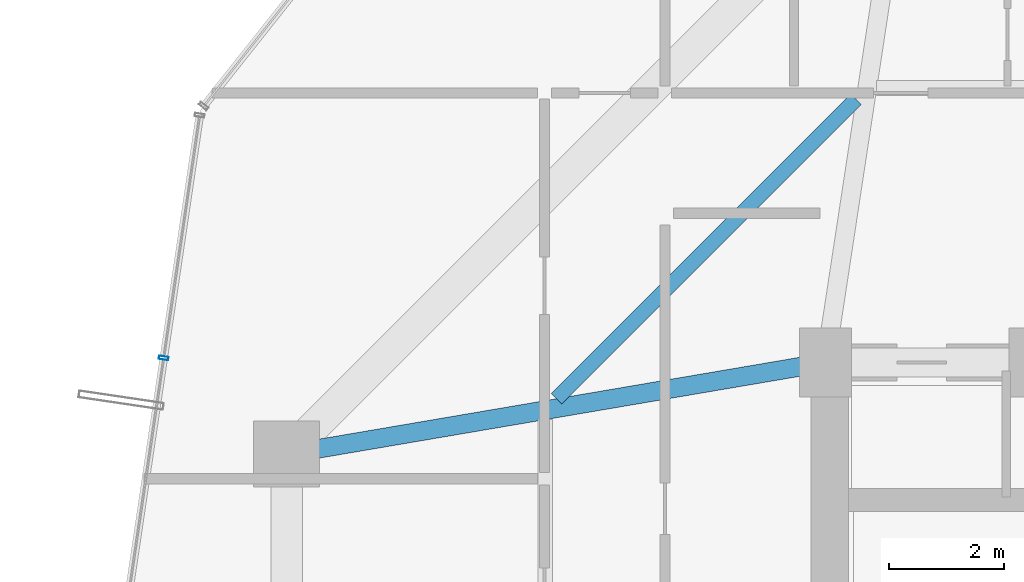
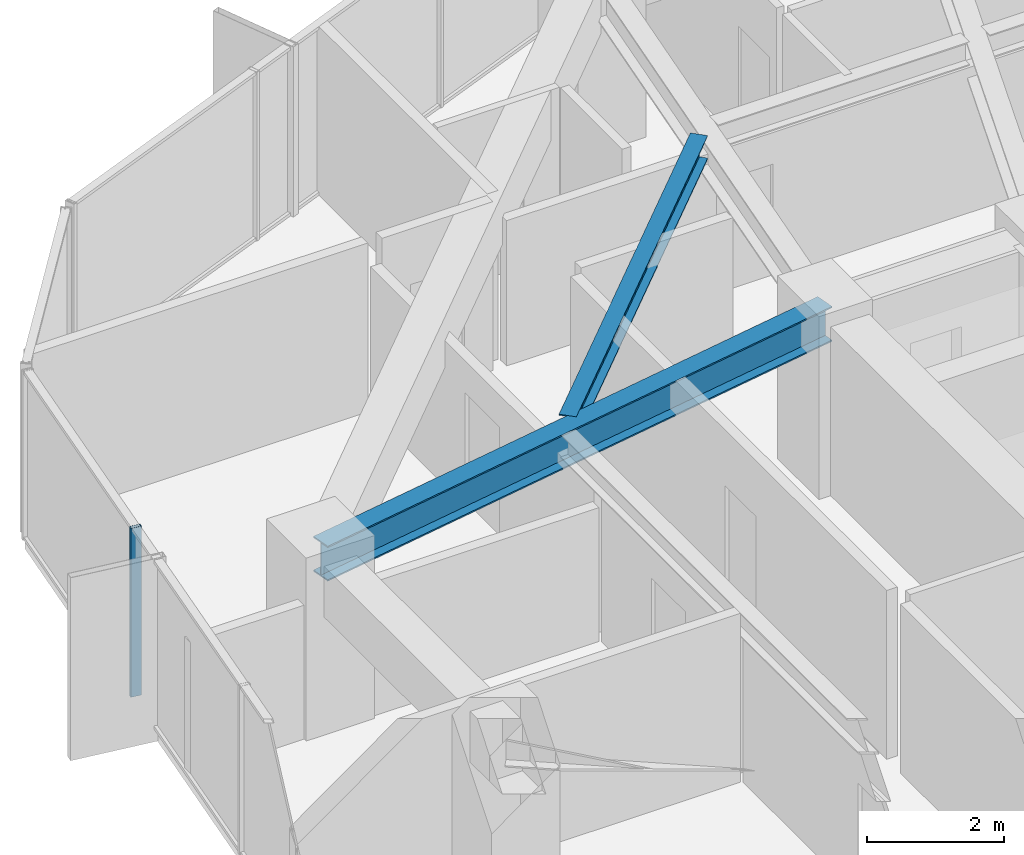
# One storey, part 12 of 29: 2 beams, 1 member, 1 element without a shape of its own.
"""IFC4 building model written with IfcOpenShell, lengths in metres."""

from ifc_helpers import new_model, si_unit, direction, frame, origin, origin_2d, place, context, subcontext, project, spatial, hollow_rectangle, i_section, extrude, source, transform, mapped, material, layer, layer_set, material_profile, profile_set, type_object, element, aggregate, save


model = new_model("IFC4")

# Units and contexts
model_context = context("Model", 3, precision=1e-05, world=origin(), true_north=direction((0.0, 1.0)))
body_context = subcontext(model_context, "Body", "Model", "MODEL_VIEW")
ifc_project = project(units=[si_unit("LENGTHUNIT", "METRE"), si_unit("AREAUNIT", "SQUARE_METRE"), si_unit("VOLUMEUNIT", "CUBIC_METRE"), si_unit("PLANEANGLEUNIT", "RADIAN"), si_unit("MASSUNIT", "GRAM", prefix="KILO")], contexts=[model_context])

# Site, building, storey
site_placement = place(None, origin())
site = spatial("IfcSite", under=ifc_project, at=site_placement, CompositionType="ELEMENT")
building_placement = place(site_placement, origin())
building = spatial("IfcBuilding", under=site, at=building_placement, Name="Veraguas Prism Commons", CompositionType="ELEMENT")
storey_placement = place(building_placement, frame((0.0, 0.0, 99.199951171875)))
storey = spatial("IfcBuildingStorey", under=building, at=storey_placement, Name="L27", CompositionType="ELEMENT", Elevation=99.199951171875)

# Beams
ifc_material_1 = material(Name="Steel ASTM A992 Grade 50", Category="steel")
ifc_material_profile_1 = material_profile(ifc_material_1, i_section(OverallWidth=0.260986328125, OverallDepth=0.419921875, WebThickness=0.01171875, FlangeThickness=0.019287109375, at=origin_2d()), Name="W410X114")
ifc_profile_set_1 = profile_set([ifc_material_profile_1], Name="Steel ASTM A992 Grade 50")
beam_type_1 = type_object("IfcBeamType", Name="Lower Floor Joist W410x114", PredefinedType="JOIST", material=ifc_profile_set_1)
beam_1_placement = place(storey_placement, frame((17.734619140625, 35.5908203125, 2.7900390625), z_axis=(-0.707090260193, -0.707123301794, 0.0), x_axis=(0.707123301794, -0.707090260193, 0.0)))
element("IfcBeam", 1, at=beam_1_placement, inside=storey, type_object=beam_type_1, Name="Composite Floor Joist L27-JS06", PredefinedType="JOIST", context=body_context, shape_type="SweptSolid", body=[
    extrude(i_section(OverallWidth=0.260986328125, OverallDepth=0.419921875, WebThickness=0.01171875, FlangeThickness=0.019287109375, at=origin_2d()), origin(), (0.0, 0.0, 1.0), 7.388916015625),
])
ifc_material_profile_2 = material_profile(ifc_material_1, i_section(OverallWidth=0.327880859375, OverallDepth=0.6220703125, WebThickness=0.015380859375, FlangeThickness=0.0244140625, at=origin_2d()), Name="W610X195")
ifc_profile_set_2 = profile_set([ifc_material_profile_2], Name="Steel ASTM A992 Grade 50")
beam_type_2 = type_object("IfcBeamType", Name="Zone 2 Radial Girder W610x195", PredefinedType="BEAM", material=ifc_profile_set_2)
beam_2_placement = place(storey_placement, frame((7.800048828125, 29.39990234375, 2.68896484375), z_axis=(0.985819187151, 0.1678109956, 0.0), x_axis=(-0.1678109956, 0.985819187151, 0.0)))
element("IfcBeam", 2, at=beam_2_placement, inside=storey, type_object=beam_type_2, Name="Radial Floor Girder L27-RD07", PredefinedType="BEAM", context=body_context, shape_type="SweptSolid", body=[
    extrude(i_section(OverallWidth=0.327880859375, OverallDepth=0.6220703125, WebThickness=0.015380859375, FlangeThickness=0.0244140625, at=origin_2d()), origin(), (0.0, 0.0, 1.0), 9.53515625),
])

# Curtain wall, member
ifc_material_2 = material(Name="Anodised aluminium EN AW-6063 T6", Category="aluminium")
ifc_layer = layer(ifc_material_2, 0.169921875, Name="Unitised Flush Curtain Wall Zone 2", Category="aluminium")
ifc_layer_set = layer_set([ifc_layer], Name="Anodised aluminium EN AW-6063 T6")
curtain_wall_type = type_object("IfcCurtainWallType", Name="Unitised Flush Curtain Wall Zone 2", PredefinedType="NOTDEFINED", material=ifc_layer_set)
curtain_wall_placement = place(storey_placement, origin())
curtain_wall = element("IfcCurtainWall", 3, at=curtain_wall_placement, inside=storey, type_object=curtain_wall_type, Name="Tower Facade Curtain Wall L27-F3", PredefinedType="NOTDEFINED")
ifc_material_profile_3 = material_profile(ifc_material_2, hollow_rectangle(XDim=0.06005859375, YDim=0.169921875, WallThickness=0.00390625, at=origin_2d()), Name="AL60X170X4")
ifc_profile_set_3 = profile_set([ifc_material_profile_3], Name="Anodised aluminium EN AW-6063 T6")
member_type = type_object("IfcMemberType", Name="Curtain Wall Mullion Lower AL 60x170x4", PredefinedType="MULLION", material=ifc_profile_set_3)
shared_shape = source(origin(), body_context, "Body", "SweptSolid", [
    extrude(hollow_rectangle(XDim=0.06005859375, YDim=0.169921875, WallThickness=0.00390625, at=origin_2d()), origin(), (0.0, 0.0, 1.0), 3.0),
])
member_placement = place(storey_placement, frame((5.65771484375, 31.077392578125, 0.0), z_axis=(0.0, 0.0, 1.0), x_axis=(-0.146777088137, -0.989169594356, 0.0)))
member = element("IfcMember", 4, at=member_placement, type_object=member_type, Name="CW-Z2 Mullion 2", PredefinedType="MULLION", context=body_context, shape_type="MappedRepresentation", body=[
    mapped(shared_shape, transform((0.0, 0.0, 0.0), scale=1.0)),
])
aggregate(curtain_wall, [member])

save(model, "model.ifc")
